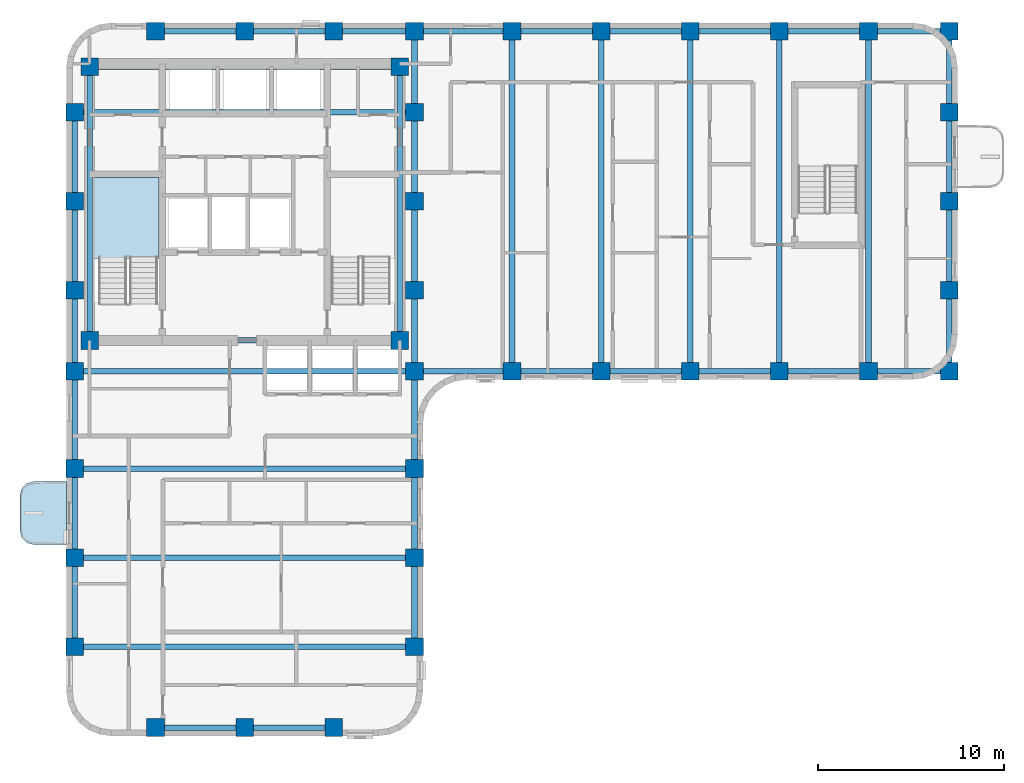
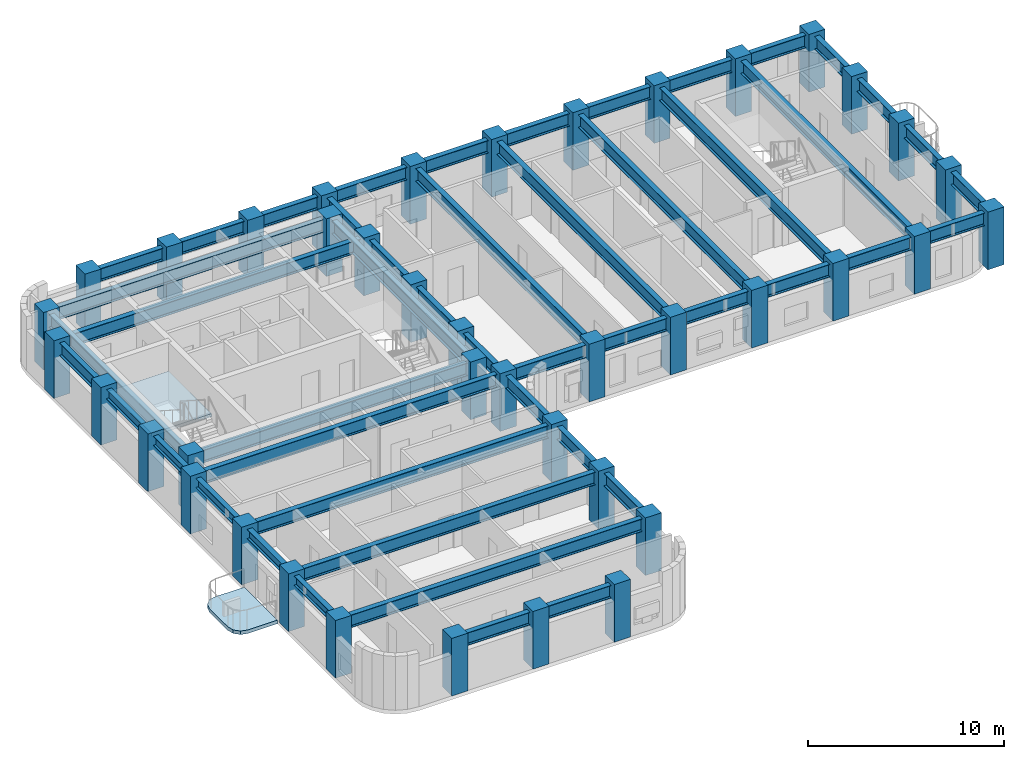
# One storey, part 1 of 10: 48 beams, 40 columns, 2 slabs, 1 element without a shape of its own.
"""IFC4 building model written with IfcOpenShell, lengths in metres."""

from ifc_helpers import new_model, si_unit, direction, frame, origin, origin_2d, place, context, subcontext, project, spatial, polyline, rectangle, i_section, outline, extrude, material, layer, layer_set, material_profile, profile_set, type_object, element, aggregate, save


model = new_model("IFC4")

# Units and contexts
model_context = context("Model", 3, precision=1e-05, world=origin(), true_north=direction((0.0, 1.0)))
body_context = subcontext(model_context, "Body", "Model", "MODEL_VIEW")
ifc_project = project(units=[si_unit("LENGTHUNIT", "METRE"), si_unit("AREAUNIT", "SQUARE_METRE"), si_unit("VOLUMEUNIT", "CUBIC_METRE"), si_unit("PLANEANGLEUNIT", "RADIAN"), si_unit("MASSUNIT", "GRAM", prefix="KILO")], contexts=[model_context])

# Site, building, storey
site_placement = place(None, origin())
site = spatial("IfcSite", under=ifc_project, at=site_placement, CompositionType="ELEMENT")
building_placement = place(site_placement, origin())
building = spatial("IfcBuilding", under=site, at=building_placement, Name="Orvandelia Arch Residences", CompositionType="ELEMENT")
storey_placement = place(building_placement, frame((0.0, 0.0, 143.199951171875)))
storey = spatial("IfcBuildingStorey", under=building, at=storey_placement, Name="L37", CompositionType="ELEMENT", Elevation=143.199951171875)

# Columns
ifc_material_1 = material(Name="Concrete C60/75", Category="concrete")
ifc_material_profile_1 = material_profile(ifc_material_1, rectangle(XDim=0.949951171875, YDim=0.949951171875, at=origin_2d()), Name="Concrete C60/75", Category="concrete")
ifc_profile_set_1 = profile_set([ifc_material_profile_1], Name="Concrete C60/75")
column_type = type_object("IfcColumnType", Name="COL-TWR-950", PredefinedType="COLUMN", material=ifc_profile_set_1)
for number, where, z_axis, x_axis, name in (
    (1, (5.25, 14.39990234375, 0.0), (0.0, 0.0, 1.0), (1.0, 0.0, 0.0), "Structural Column L37-W-W-144"),
    (2, (5.25, 19.199951171875, 0.0), (0.0, 0.0, 1.0), (1.0, 0.0, 0.0), "Structural Column L37-W-W-192"),
    (3, (5.25, 24.0, 0.0), (0.0, 0.0, 1.0), (1.0, 0.0, 0.0), "Structural Column L37-W-W-240"),
    (4, (5.25, 29.25, 0.0), (0.0, 0.0, 1.0), (1.0, 0.0, 0.0), "Structural Column L37-W-W-292"),
    (5, (5.25, 33.60009765625, 0.0), (0.0, 0.0, 1.0), (1.0, 0.0, 0.0), "Structural Column L37-W-W-336"),
    (6, (5.25, 38.39990234375, 0.0), (0.0, 0.0, 1.0), (1.0, 0.0, 0.0), "Structural Column L37-W-W-384"),
    (7, (5.25, 43.199951171875, 0.0), (0.0, 0.0, 1.0), (1.0, 0.0, 0.0), "Structural Column L37-W-W-432"),
    (8, (6.050048828125, 30.89990234375, 0.0), (0.0, 0.0, 1.0), (1.0, 0.0, 0.0), "Structural Column L37-CR-SW"),
    (9, (6.050048828125, 45.64990234375, 0.0), (0.0, 0.0, 1.0), (1.0, 0.0, 0.0), "Structural Column L37-CR-NW"),
    (10, (9.60009765625, 10.050048828125, 0.0), (0.0, 0.0, 1.0), (1.0, 0.0, 0.0), "Structural Column L37-W-S-96"),
    (11, (9.60009765625, 47.550048828125, 0.0), (0.0, 0.0, 1.0), (1.0, 0.0, 0.0), "Structural Column L37-W-N-96"),
    (12, (14.39990234375, 10.050048828125, 0.0), (0.0, 0.0, 1.0), (1.0, 0.0, 0.0), "Structural Column L37-W-S-144"),
    (13, (14.39990234375, 47.550048828125, 0.0), (0.0, 0.0, 1.0), (1.0, 0.0, 0.0), "Structural Column L37-W-N-144"),
    (14, (19.199951171875, 10.050048828125, 0.0), (0.0, 0.0, 1.0), (1.0, 0.0, 0.0), "Structural Column L37-W-S-192"),
    (15, (19.199951171875, 47.550048828125, 0.0), (0.0, 0.0, 1.0), (1.0, 0.0, 0.0), "Structural Column L37-W-N-192"),
    (16, (22.75, 30.89990234375, 0.0), (0.0, 0.0, 1.0), (1.0, 0.0, 0.0), "Structural Column L37-CR-SE"),
    (17, (22.75, 45.64990234375, 0.0), (0.0, 0.0, 1.0), (1.0, 0.0, 0.0), "Structural Column L37-CR-NE"),
    (18, (23.550048828125, 14.39990234375, 0.0), (0.0, 0.0, 1.0), (1.0, 0.0, 0.0), "Structural Column L37-W-E-144"),
    (19, (23.550048828125, 19.199951171875, 0.0), (0.0, 0.0, 1.0), (1.0, 0.0, 0.0), "Structural Column L37-W-E-192"),
    (20, (23.550048828125, 24.0, 0.0), (0.0, 0.0, 1.0), (1.0, 0.0, 0.0), "Structural Column L37-W-E-240"),
    (21, (23.550048828125, 29.25, 0.0), (0.0, 0.0, 1.0), (1.0, 0.0, 0.0), "Structural Column L37-W-E-292"),
    (22, (23.550048828125, 33.60009765625, 0.0), (0.0, 0.0, 1.0), (1.0, 0.0, 0.0), "Structural Column L37-W-E-336"),
    (23, (23.550048828125, 38.39990234375, 0.0), (0.0, 0.0, 1.0), (1.0, 0.0, 0.0), "Structural Column L37-W-E-384"),
    (24, (23.550048828125, 43.199951171875, 0.0), (0.0, 0.0, 1.0), (1.0, 0.0, 0.0), "Structural Column L37-W-E-432"),
    (25, (23.550048828125, 47.550048828125, 0.0), (0.0, 0.0, 1.0), (1.0, 0.0, 0.0), "Structural Column L37-W-N-235"),
    (26, (28.800048828125, 29.25, 0.0), (0.0, 0.0, 1.0), (1.0, 0.0, 0.0), "Structural Column L37-E-S-288"),
    (27, (28.800048828125, 47.550048828125, 0.0), (0.0, 0.0, 1.0), (1.0, 0.0, 0.0), "Structural Column L37-E-N-288"),
    (28, (33.60009765625, 29.25, 0.0), (0.0, 0.0, 1.0), (1.0, 0.0, 0.0), "Structural Column L37-E-S-336"),
    (29, (33.60009765625, 47.550048828125, 0.0), (0.0, 0.0, 1.0), (1.0, 0.0, 0.0), "Structural Column L37-E-N-336"),
    (30, (38.39990234375, 29.25, 0.0), (0.0, 0.0, 1.0), (1.0, 0.0, 0.0), "Structural Column L37-E-S-384"),
    (31, (38.39990234375, 47.550048828125, 0.0), (0.0, 0.0, 1.0), (1.0, 0.0, 0.0), "Structural Column L37-E-N-384"),
    (32, (43.199951171875, 29.25, 0.0), (0.0, 0.0, 1.0), (1.0, 0.0, 0.0), "Structural Column L37-E-S-432"),
    (33, (43.199951171875, 47.550048828125, 0.0), (0.0, 0.0, 1.0), (1.0, 0.0, 0.0), "Structural Column L37-E-N-432"),
    (34, (48.0, 29.25, 0.0), (0.0, 0.0, 1.0), (1.0, 0.0, 0.0), "Structural Column L37-E-S-480"),
    (35, (48.0, 47.550048828125, 0.0), (0.0, 0.0, 1.0), (1.0, 0.0, 0.0), "Structural Column L37-E-N-480"),
    (36, (52.35009765625, 29.25, 0.0), (0.0, 0.0, 1.0), (1.0, 0.0, 0.0), "Structural Column L37-E-S-523"),
    (37, (52.35009765625, 33.60009765625, 0.0), (0.0, 0.0, 1.0), (1.0, 0.0, 0.0), "Structural Column L37-E-523-336"),
    (38, (52.35009765625, 38.39990234375, 0.0), (0.0, 0.0, 1.0), (1.0, 0.0, 0.0), "Structural Column L37-E-523-384"),
    (39, (52.35009765625, 43.199951171875, 0.0), (0.0, 0.0, 1.0), (1.0, 0.0, 0.0), "Structural Column L37-E-523-432"),
    (40, (52.35009765625, 47.550048828125, 0.0), (0.0, 0.0, 1.0), (1.0, 0.0, 0.0), "Structural Column L37-E-N-523"),
):
    element("IfcColumn", number, at=place(storey_placement, frame(where, z_axis=z_axis, x_axis=x_axis)), inside=storey, type_object=column_type, Name=name, PredefinedType="COLUMN", context=body_context, shape_type="SweptSolid", body=[
        extrude(rectangle(XDim=0.949951171875, YDim=0.949951171875, at=origin_2d()), origin(), (0.0, 0.0, 1.0), 3.60009765625),
    ])

# Beams
ifc_material_2 = material(Name="Structural Steel SM355 (355 MPa)", Category="steel")
ifc_material_profile_2 = material_profile(ifc_material_2, i_section(OverallWidth=0.300048828125, OverallDepth=0.800048828125, WebThickness=0.013916015625, FlangeThickness=0.02587890625, FilletRadius=0.02587890625, at=origin_2d()), Name="Structural Steel SM355 (355 MPa)", Category="steel")
ifc_profile_set_2 = profile_set([ifc_material_profile_2], Name="Structural Steel SM355 (355 MPa)")
beam_type_1 = type_object("IfcBeamType", Name="BM-GRD-H800", PredefinedType="BEAM", material=ifc_profile_set_2)
beam_1_placement = place(storey_placement, frame((5.25, 38.39990234375, 2.9599609375), z_axis=(0.0, 1.0, 0.0), x_axis=(-1.0, 0.0, 0.0)))
element("IfcBeam", 41, at=beam_1_placement, inside=storey, type_object=beam_type_1, Name="Structural Frame Beam L37-NS-006", PredefinedType="BEAM", context=body_context, shape_type="SweptSolid", body=[
    extrude(i_section(OverallWidth=0.300048828125, OverallDepth=0.800048828125, WebThickness=0.013916015625, FlangeThickness=0.02587890625, FilletRadius=0.02587890625, at=origin_2d()), origin(), (0.0, 0.0, 1.0), 4.800048828125),
])
for number, where, z_axis, x_axis, name in (
    (42, (6.050048828125, 30.89990234375, 2.9599609375), (0.0, 1.0, 0.0), (-1.0, 0.0, 0.0), "Structural Frame Beam L37-NS-007"),
    (43, (22.75, 30.89990234375, 2.9599609375), (0.0, 1.0, 0.0), (-1.0, 0.0, 0.0), "Structural Frame Beam L37-NS-008"),
):
    element("IfcBeam", number, at=place(storey_placement, frame(where, z_axis=z_axis, x_axis=x_axis)), inside=storey, type_object=beam_type_1, Name=name, PredefinedType="BEAM", context=body_context, shape_type="SweptSolid", body=[
        extrude(i_section(OverallWidth=0.300048828125, OverallDepth=0.800048828125, WebThickness=0.013916015625, FlangeThickness=0.02587890625, FilletRadius=0.02587890625, at=origin_2d()), origin(), (0.0, 0.0, 1.0), 14.75),
    ])
for number, where, z_axis, x_axis, name in (
    (44, (23.550048828125, 14.39990234375, 2.9599609375), (0.0, 1.0, 0.0), (-1.0, 0.0, 0.0), "Structural Frame Beam L37-NS-009"),
    (45, (23.550048828125, 19.199951171875, 2.9599609375), (0.0, 1.0, 0.0), (-1.0, 0.0, 0.0), "Structural Frame Beam L37-NS-010"),
):
    element("IfcBeam", number, at=place(storey_placement, frame(where, z_axis=z_axis, x_axis=x_axis)), inside=storey, type_object=beam_type_1, Name=name, PredefinedType="BEAM", context=body_context, shape_type="SweptSolid", body=[
        extrude(i_section(OverallWidth=0.300048828125, OverallDepth=0.800048828125, WebThickness=0.013916015625, FlangeThickness=0.02587890625, FilletRadius=0.02587890625, at=origin_2d()), origin(), (0.0, 0.0, 1.0), 4.800048828125),
    ])
beam_2_placement = place(storey_placement, frame((23.550048828125, 24.0, 2.9599609375), z_axis=(0.0, 1.0, 0.0), x_axis=(-1.0, 0.0, 0.0)))
element("IfcBeam", 46, at=beam_2_placement, inside=storey, type_object=beam_type_1, Name="Structural Frame Beam L37-NS-011", PredefinedType="BEAM", context=body_context, shape_type="SweptSolid", body=[
    extrude(i_section(OverallWidth=0.300048828125, OverallDepth=0.800048828125, WebThickness=0.013916015625, FlangeThickness=0.02587890625, FilletRadius=0.02587890625, at=origin_2d()), origin(), (0.0, 0.0, 1.0), 5.25),
])
beam_3_placement = place(storey_placement, frame((23.550048828125, 29.25, 2.9599609375), z_axis=(0.0, 1.0, 0.0), x_axis=(-1.0, 0.0, 0.0)))
element("IfcBeam", 47, at=beam_3_placement, inside=storey, type_object=beam_type_1, Name="Structural Frame Beam L37-NS-012", PredefinedType="BEAM", context=body_context, shape_type="SweptSolid", body=[
    extrude(i_section(OverallWidth=0.300048828125, OverallDepth=0.800048828125, WebThickness=0.013916015625, FlangeThickness=0.02587890625, FilletRadius=0.02587890625, at=origin_2d()), origin(), (0.0, 0.0, 1.0), 4.35009765625),
])
beam_4_placement = place(storey_placement, frame((23.550048828125, 33.60009765625, 2.9599609375), z_axis=(0.0, 1.0, 0.0), x_axis=(-1.0, 0.0, 0.0)))
element("IfcBeam", 48, at=beam_4_placement, inside=storey, type_object=beam_type_1, Name="Structural Frame Beam L37-NS-013", PredefinedType="BEAM", context=body_context, shape_type="SweptSolid", body=[
    extrude(i_section(OverallWidth=0.300048828125, OverallDepth=0.800048828125, WebThickness=0.013916015625, FlangeThickness=0.02587890625, FilletRadius=0.02587890625, at=origin_2d()), origin(), (0.0, 0.0, 1.0), 4.7998046875),
])
beam_5_placement = place(storey_placement, frame((23.550048828125, 38.39990234375, 2.9599609375), z_axis=(0.0, 1.0, 0.0), x_axis=(-1.0, 0.0, 0.0)))
element("IfcBeam", 49, at=beam_5_placement, inside=storey, type_object=beam_type_1, Name="Structural Frame Beam L37-NS-014", PredefinedType="BEAM", context=body_context, shape_type="SweptSolid", body=[
    extrude(i_section(OverallWidth=0.300048828125, OverallDepth=0.800048828125, WebThickness=0.013916015625, FlangeThickness=0.02587890625, FilletRadius=0.02587890625, at=origin_2d()), origin(), (0.0, 0.0, 1.0), 4.800048828125),
])
beam_6_placement = place(storey_placement, frame((23.550048828125, 43.199951171875, 2.9599609375), z_axis=(0.0, 1.0, 0.0), x_axis=(-1.0, 0.0, 0.0)))
element("IfcBeam", 50, at=beam_6_placement, inside=storey, type_object=beam_type_1, Name="Structural Frame Beam L37-NS-015", PredefinedType="BEAM", context=body_context, shape_type="SweptSolid", body=[
    extrude(i_section(OverallWidth=0.300048828125, OverallDepth=0.800048828125, WebThickness=0.013916015625, FlangeThickness=0.02587890625, FilletRadius=0.02587890625, at=origin_2d()), origin(), (0.0, 0.0, 1.0), 4.35009765625),
])
for number, where, z_axis, x_axis, name in (
    (51, (28.800048828125, 29.25, 2.9599609375), (0.0, 1.0, 0.0), (-1.0, 0.0, 0.0), "Structural Frame Beam L37-NS-016"),
    (52, (33.60009765625, 29.25, 2.9599609375), (0.0, 1.0, 0.0), (-1.0, 0.0, 0.0), "Structural Frame Beam L37-NS-017"),
    (53, (38.39990234375, 29.25, 2.9599609375), (0.0, 1.0, 0.0), (-1.0, 0.0, 0.0), "Structural Frame Beam L37-NS-018"),
    (54, (43.199951171875, 29.25, 2.9599609375), (0.0, 1.0, 0.0), (-1.0, 0.0, 0.0), "Structural Frame Beam L37-NS-019"),
    (55, (48.0, 29.25, 2.9599609375), (0.0, 1.0, 0.0), (-1.0, 0.0, 0.0), "Structural Frame Beam L37-NS-020"),
):
    element("IfcBeam", number, at=place(storey_placement, frame(where, z_axis=z_axis, x_axis=x_axis)), inside=storey, type_object=beam_type_1, Name=name, PredefinedType="BEAM", context=body_context, shape_type="SweptSolid", body=[
        extrude(i_section(OverallWidth=0.300048828125, OverallDepth=0.800048828125, WebThickness=0.013916015625, FlangeThickness=0.02587890625, FilletRadius=0.02587890625, at=origin_2d()), origin(), (0.0, 0.0, 1.0), 18.300048828125),
    ])
beam_7_placement = place(storey_placement, frame((52.35009765625, 29.25, 2.9599609375), z_axis=(0.0, 1.0, 0.0), x_axis=(-1.0, 0.0, 0.0)))
element("IfcBeam", 56, at=beam_7_placement, inside=storey, type_object=beam_type_1, Name="Structural Frame Beam L37-NS-021", PredefinedType="BEAM", context=body_context, shape_type="SweptSolid", body=[
    extrude(i_section(OverallWidth=0.300048828125, OverallDepth=0.800048828125, WebThickness=0.013916015625, FlangeThickness=0.02587890625, FilletRadius=0.02587890625, at=origin_2d()), origin(), (0.0, 0.0, 1.0), 4.35009765625),
])
beam_8_placement = place(storey_placement, frame((52.35009765625, 33.60009765625, 2.9599609375), z_axis=(0.0, 1.0, 0.0), x_axis=(-1.0, 0.0, 0.0)))
element("IfcBeam", 57, at=beam_8_placement, inside=storey, type_object=beam_type_1, Name="Structural Frame Beam L37-NS-022", PredefinedType="BEAM", context=body_context, shape_type="SweptSolid", body=[
    extrude(i_section(OverallWidth=0.300048828125, OverallDepth=0.800048828125, WebThickness=0.013916015625, FlangeThickness=0.02587890625, FilletRadius=0.02587890625, at=origin_2d()), origin(), (0.0, 0.0, 1.0), 4.7998046875),
])
beam_9_placement = place(storey_placement, frame((52.35009765625, 38.39990234375, 2.9599609375), z_axis=(0.0, 1.0, 0.0), x_axis=(-1.0, 0.0, 0.0)))
element("IfcBeam", 58, at=beam_9_placement, inside=storey, type_object=beam_type_1, Name="Structural Frame Beam L37-NS-023", PredefinedType="BEAM", context=body_context, shape_type="SweptSolid", body=[
    extrude(i_section(OverallWidth=0.300048828125, OverallDepth=0.800048828125, WebThickness=0.013916015625, FlangeThickness=0.02587890625, FilletRadius=0.02587890625, at=origin_2d()), origin(), (0.0, 0.0, 1.0), 4.800048828125),
])
beam_10_placement = place(storey_placement, frame((52.35009765625, 43.199951171875, 2.9599609375), z_axis=(0.0, 1.0, 0.0), x_axis=(-1.0, 0.0, 0.0)))
element("IfcBeam", 59, at=beam_10_placement, inside=storey, type_object=beam_type_1, Name="Structural Frame Beam L37-NS-024", PredefinedType="BEAM", context=body_context, shape_type="SweptSolid", body=[
    extrude(i_section(OverallWidth=0.300048828125, OverallDepth=0.800048828125, WebThickness=0.013916015625, FlangeThickness=0.02587890625, FilletRadius=0.02587890625, at=origin_2d()), origin(), (0.0, 0.0, 1.0), 4.35009765625),
])
beam_11_placement = place(storey_placement, frame((9.60009765625, 10.050048828125, 2.9599609375), z_axis=(1.0, 0.0, 0.0), x_axis=(0.0, 1.0, 0.0)))
element("IfcBeam", 60, at=beam_11_placement, inside=storey, type_object=beam_type_1, Name="Structural Frame Girder L37-EW-025", PredefinedType="BEAM", context=body_context, shape_type="SweptSolid", body=[
    extrude(i_section(OverallWidth=0.300048828125, OverallDepth=0.800048828125, WebThickness=0.013916015625, FlangeThickness=0.02587890625, FilletRadius=0.02587890625, at=origin_2d()), origin(), (0.0, 0.0, 1.0), 4.7998046875),
])
beam_12_placement = place(storey_placement, frame((14.39990234375, 10.050048828125, 2.9599609375), z_axis=(1.0, 0.0, 0.0), x_axis=(0.0, 1.0, 0.0)))
element("IfcBeam", 61, at=beam_12_placement, inside=storey, type_object=beam_type_1, Name="Structural Frame Girder L37-EW-026", PredefinedType="BEAM", context=body_context, shape_type="SweptSolid", body=[
    extrude(i_section(OverallWidth=0.300048828125, OverallDepth=0.800048828125, WebThickness=0.013916015625, FlangeThickness=0.02587890625, FilletRadius=0.02587890625, at=origin_2d()), origin(), (0.0, 0.0, 1.0), 4.800048828125),
])
for number, where, z_axis, x_axis, name in (
    (62, (5.25, 14.39990234375, 2.9599609375), (1.0, 0.0, 0.0), (0.0, 1.0, 0.0), "Structural Frame Girder L37-EW-027"),
    (63, (5.25, 19.199951171875, 2.9599609375), (1.0, 0.0, 0.0), (0.0, 1.0, 0.0), "Structural Frame Girder L37-EW-028"),
    (64, (5.25, 24.0, 2.9599609375), (1.0, 0.0, 0.0), (0.0, 1.0, 0.0), "Structural Frame Girder L37-EW-029"),
    (65, (5.25, 29.25, 2.9599609375), (1.0, 0.0, 0.0), (0.0, 1.0, 0.0), "Structural Frame Girder L37-EW-030"),
):
    element("IfcBeam", number, at=place(storey_placement, frame(where, z_axis=z_axis, x_axis=x_axis)), inside=storey, type_object=beam_type_1, Name=name, PredefinedType="BEAM", context=body_context, shape_type="SweptSolid", body=[
        extrude(i_section(OverallWidth=0.300048828125, OverallDepth=0.800048828125, WebThickness=0.013916015625, FlangeThickness=0.02587890625, FilletRadius=0.02587890625, at=origin_2d()), origin(), (0.0, 0.0, 1.0), 18.300048828125),
    ])
beam_13_placement = place(storey_placement, frame((23.550048828125, 29.25, 2.9599609375), z_axis=(1.0, 0.0, 0.0), x_axis=(0.0, 1.0, 0.0)))
element("IfcBeam", 66, at=beam_13_placement, inside=storey, type_object=beam_type_1, Name="Structural Frame Girder L37-EW-031", PredefinedType="BEAM", context=body_context, shape_type="SweptSolid", body=[
    extrude(i_section(OverallWidth=0.300048828125, OverallDepth=0.800048828125, WebThickness=0.013916015625, FlangeThickness=0.02587890625, FilletRadius=0.02587890625, at=origin_2d()), origin(), (0.0, 0.0, 1.0), 5.25),
])
beam_14_placement = place(storey_placement, frame((28.800048828125, 29.25, 2.9599609375), z_axis=(1.0, 0.0, 0.0), x_axis=(0.0, 1.0, 0.0)))
element("IfcBeam", 67, at=beam_14_placement, inside=storey, type_object=beam_type_1, Name="Structural Frame Girder L37-EW-032", PredefinedType="BEAM", context=body_context, shape_type="SweptSolid", body=[
    extrude(i_section(OverallWidth=0.300048828125, OverallDepth=0.800048828125, WebThickness=0.013916015625, FlangeThickness=0.02587890625, FilletRadius=0.02587890625, at=origin_2d()), origin(), (0.0, 0.0, 1.0), 4.800048828125),
])
beam_15_placement = place(storey_placement, frame((33.60009765625, 29.25, 2.9599609375), z_axis=(1.0, 0.0, 0.0), x_axis=(0.0, 1.0, 0.0)))
element("IfcBeam", 68, at=beam_15_placement, inside=storey, type_object=beam_type_1, Name="Structural Frame Girder L37-EW-033", PredefinedType="BEAM", context=body_context, shape_type="SweptSolid", body=[
    extrude(i_section(OverallWidth=0.300048828125, OverallDepth=0.800048828125, WebThickness=0.013916015625, FlangeThickness=0.02587890625, FilletRadius=0.02587890625, at=origin_2d()), origin(), (0.0, 0.0, 1.0), 4.7998046875),
])
for number, where, z_axis, x_axis, name in (
    (69, (38.39990234375, 29.25, 2.9599609375), (1.0, 0.0, 0.0), (0.0, 1.0, 0.0), "Structural Frame Girder L37-EW-034"),
    (70, (43.199951171875, 29.25, 2.9599609375), (1.0, 0.0, 0.0), (0.0, 1.0, 0.0), "Structural Frame Girder L37-EW-035"),
):
    element("IfcBeam", number, at=place(storey_placement, frame(where, z_axis=z_axis, x_axis=x_axis)), inside=storey, type_object=beam_type_1, Name=name, PredefinedType="BEAM", context=body_context, shape_type="SweptSolid", body=[
        extrude(i_section(OverallWidth=0.300048828125, OverallDepth=0.800048828125, WebThickness=0.013916015625, FlangeThickness=0.02587890625, FilletRadius=0.02587890625, at=origin_2d()), origin(), (0.0, 0.0, 1.0), 4.800048828125),
    ])
beam_16_placement = place(storey_placement, frame((48.0, 29.25, 2.9599609375), z_axis=(1.0, 0.0, 0.0), x_axis=(0.0, 1.0, 0.0)))
element("IfcBeam", 71, at=beam_16_placement, inside=storey, type_object=beam_type_1, Name="Structural Frame Girder L37-EW-036", PredefinedType="BEAM", context=body_context, shape_type="SweptSolid", body=[
    extrude(i_section(OverallWidth=0.300048828125, OverallDepth=0.800048828125, WebThickness=0.013916015625, FlangeThickness=0.02587890625, FilletRadius=0.02587890625, at=origin_2d()), origin(), (0.0, 0.0, 1.0), 4.35009765625),
])
beam_17_placement = place(storey_placement, frame((6.050048828125, 30.89990234375, 2.9599609375), z_axis=(1.0, 0.0, 0.0), x_axis=(0.0, 1.0, 0.0)))
element("IfcBeam", 72, at=beam_17_placement, inside=storey, type_object=beam_type_1, Name="Structural Frame Girder L37-EW-037", PredefinedType="BEAM", context=body_context, shape_type="SweptSolid", body=[
    extrude(i_section(OverallWidth=0.300048828125, OverallDepth=0.800048828125, WebThickness=0.013916015625, FlangeThickness=0.02587890625, FilletRadius=0.02587890625, at=origin_2d()), origin(), (0.0, 0.0, 1.0), 16.699951171875),
])
beam_18_placement = place(storey_placement, frame((5.25, 43.199951171875, 2.9599609375), z_axis=(1.0, 0.0, 0.0), x_axis=(0.0, 1.0, 0.0)))
element("IfcBeam", 73, at=beam_18_placement, inside=storey, type_object=beam_type_1, Name="Structural Frame Girder L37-EW-040", PredefinedType="BEAM", context=body_context, shape_type="SweptSolid", body=[
    extrude(i_section(OverallWidth=0.300048828125, OverallDepth=0.800048828125, WebThickness=0.013916015625, FlangeThickness=0.02587890625, FilletRadius=0.02587890625, at=origin_2d()), origin(), (0.0, 0.0, 1.0), 18.300048828125),
])
beam_19_placement = place(storey_placement, frame((6.050048828125, 45.64990234375, 2.9599609375), z_axis=(1.0, 0.0, 0.0), x_axis=(0.0, 1.0, 0.0)))
element("IfcBeam", 74, at=beam_19_placement, inside=storey, type_object=beam_type_1, Name="Structural Frame Girder L37-EW-041", PredefinedType="BEAM", context=body_context, shape_type="SweptSolid", body=[
    extrude(i_section(OverallWidth=0.300048828125, OverallDepth=0.800048828125, WebThickness=0.013916015625, FlangeThickness=0.02587890625, FilletRadius=0.02587890625, at=origin_2d()), origin(), (0.0, 0.0, 1.0), 16.699951171875),
])
beam_20_placement = place(storey_placement, frame((9.60009765625, 47.550048828125, 2.9599609375), z_axis=(1.0, 0.0, 0.0), x_axis=(0.0, 1.0, 0.0)))
element("IfcBeam", 75, at=beam_20_placement, inside=storey, type_object=beam_type_1, Name="Structural Frame Girder L37-EW-042", PredefinedType="BEAM", context=body_context, shape_type="SweptSolid", body=[
    extrude(i_section(OverallWidth=0.300048828125, OverallDepth=0.800048828125, WebThickness=0.013916015625, FlangeThickness=0.02587890625, FilletRadius=0.02587890625, at=origin_2d()), origin(), (0.0, 0.0, 1.0), 4.7998046875),
])
beam_21_placement = place(storey_placement, frame((14.39990234375, 47.550048828125, 2.9599609375), z_axis=(1.0, 0.0, 0.0), x_axis=(0.0, 1.0, 0.0)))
element("IfcBeam", 76, at=beam_21_placement, inside=storey, type_object=beam_type_1, Name="Structural Frame Girder L37-EW-043", PredefinedType="BEAM", context=body_context, shape_type="SweptSolid", body=[
    extrude(i_section(OverallWidth=0.300048828125, OverallDepth=0.800048828125, WebThickness=0.013916015625, FlangeThickness=0.02587890625, FilletRadius=0.02587890625, at=origin_2d()), origin(), (0.0, 0.0, 1.0), 4.800048828125),
])
beam_22_placement = place(storey_placement, frame((19.199951171875, 47.550048828125, 2.9599609375), z_axis=(1.0, 0.0, 0.0), x_axis=(0.0, 1.0, 0.0)))
element("IfcBeam", 77, at=beam_22_placement, inside=storey, type_object=beam_type_1, Name="Structural Frame Girder L37-EW-044", PredefinedType="BEAM", context=body_context, shape_type="SweptSolid", body=[
    extrude(i_section(OverallWidth=0.300048828125, OverallDepth=0.800048828125, WebThickness=0.013916015625, FlangeThickness=0.02587890625, FilletRadius=0.02587890625, at=origin_2d()), origin(), (0.0, 0.0, 1.0), 4.35009765625),
])
beam_23_placement = place(storey_placement, frame((23.550048828125, 47.550048828125, 2.9599609375), z_axis=(1.0, 0.0, 0.0), x_axis=(0.0, 1.0, 0.0)))
element("IfcBeam", 78, at=beam_23_placement, inside=storey, type_object=beam_type_1, Name="Structural Frame Girder L37-EW-045", PredefinedType="BEAM", context=body_context, shape_type="SweptSolid", body=[
    extrude(i_section(OverallWidth=0.300048828125, OverallDepth=0.800048828125, WebThickness=0.013916015625, FlangeThickness=0.02587890625, FilletRadius=0.02587890625, at=origin_2d()), origin(), (0.0, 0.0, 1.0), 5.25),
])
beam_24_placement = place(storey_placement, frame((28.800048828125, 47.550048828125, 2.9599609375), z_axis=(1.0, 0.0, 0.0), x_axis=(0.0, 1.0, 0.0)))
element("IfcBeam", 79, at=beam_24_placement, inside=storey, type_object=beam_type_1, Name="Structural Frame Girder L37-EW-046", PredefinedType="BEAM", context=body_context, shape_type="SweptSolid", body=[
    extrude(i_section(OverallWidth=0.300048828125, OverallDepth=0.800048828125, WebThickness=0.013916015625, FlangeThickness=0.02587890625, FilletRadius=0.02587890625, at=origin_2d()), origin(), (0.0, 0.0, 1.0), 4.800048828125),
])
beam_25_placement = place(storey_placement, frame((33.60009765625, 47.550048828125, 2.9599609375), z_axis=(1.0, 0.0, 0.0), x_axis=(0.0, 1.0, 0.0)))
element("IfcBeam", 80, at=beam_25_placement, inside=storey, type_object=beam_type_1, Name="Structural Frame Girder L37-EW-047", PredefinedType="BEAM", context=body_context, shape_type="SweptSolid", body=[
    extrude(i_section(OverallWidth=0.300048828125, OverallDepth=0.800048828125, WebThickness=0.013916015625, FlangeThickness=0.02587890625, FilletRadius=0.02587890625, at=origin_2d()), origin(), (0.0, 0.0, 1.0), 4.7998046875),
])
for number, where, z_axis, x_axis, name in (
    (81, (38.39990234375, 47.550048828125, 2.9599609375), (1.0, 0.0, 0.0), (0.0, 1.0, 0.0), "Structural Frame Girder L37-EW-048"),
    (82, (43.199951171875, 47.550048828125, 2.9599609375), (1.0, 0.0, 0.0), (0.0, 1.0, 0.0), "Structural Frame Girder L37-EW-049"),
):
    element("IfcBeam", number, at=place(storey_placement, frame(where, z_axis=z_axis, x_axis=x_axis)), inside=storey, type_object=beam_type_1, Name=name, PredefinedType="BEAM", context=body_context, shape_type="SweptSolid", body=[
        extrude(i_section(OverallWidth=0.300048828125, OverallDepth=0.800048828125, WebThickness=0.013916015625, FlangeThickness=0.02587890625, FilletRadius=0.02587890625, at=origin_2d()), origin(), (0.0, 0.0, 1.0), 4.800048828125),
    ])
beam_26_placement = place(storey_placement, frame((48.0, 47.550048828125, 2.9599609375), z_axis=(1.0, 0.0, 0.0), x_axis=(0.0, 1.0, 0.0)))
element("IfcBeam", 83, at=beam_26_placement, inside=storey, type_object=beam_type_1, Name="Structural Frame Girder L37-EW-050", PredefinedType="BEAM", context=body_context, shape_type="SweptSolid", body=[
    extrude(i_section(OverallWidth=0.300048828125, OverallDepth=0.800048828125, WebThickness=0.013916015625, FlangeThickness=0.02587890625, FilletRadius=0.02587890625, at=origin_2d()), origin(), (0.0, 0.0, 1.0), 4.35009765625),
])
ifc_material_profile_3 = material_profile(ifc_material_2, i_section(OverallWidth=0.300048828125, OverallDepth=0.587890625, WebThickness=0.011962890625, FlangeThickness=0.02001953125, FilletRadius=0.02197265625, at=origin_2d()), Name="Structural Steel SM355 (355 MPa)", Category="steel")
ifc_profile_set_3 = profile_set([ifc_material_profile_3], Name="Structural Steel SM355 (355 MPa)")
beam_type_2 = type_object("IfcBeamType", Name="BM-SPN-H588", PredefinedType="SPANDREL", material=ifc_profile_set_3)
for number, where, z_axis, x_axis, name in (
    (84, (5.25, 14.39990234375, 3.066162109375), (0.0, 1.0, 0.0), (-1.0, 0.0, 0.0), "Structural Frame Beam L37-NS-001"),
    (85, (5.25, 19.199951171875, 3.066162109375), (0.0, 1.0, 0.0), (-1.0, 0.0, 0.0), "Structural Frame Beam L37-NS-002"),
):
    element("IfcBeam", number, at=place(storey_placement, frame(where, z_axis=z_axis, x_axis=x_axis)), inside=storey, type_object=beam_type_2, Name=name, PredefinedType="SPANDREL", context=body_context, shape_type="SweptSolid", body=[
        extrude(i_section(OverallWidth=0.300048828125, OverallDepth=0.587890625, WebThickness=0.011962890625, FlangeThickness=0.02001953125, FilletRadius=0.02197265625, at=origin_2d()), origin(), (0.0, 0.0, 1.0), 4.800048828125),
    ])
beam_27_placement = place(storey_placement, frame((5.25, 24.0, 3.066162109375), z_axis=(0.0, 1.0, 0.0), x_axis=(-1.0, 0.0, 0.0)))
element("IfcBeam", 86, at=beam_27_placement, inside=storey, type_object=beam_type_2, Name="Structural Frame Beam L37-NS-003", PredefinedType="SPANDREL", context=body_context, shape_type="SweptSolid", body=[
    extrude(i_section(OverallWidth=0.300048828125, OverallDepth=0.587890625, WebThickness=0.011962890625, FlangeThickness=0.02001953125, FilletRadius=0.02197265625, at=origin_2d()), origin(), (0.0, 0.0, 1.0), 5.25),
])
beam_28_placement = place(storey_placement, frame((5.25, 29.25, 3.066162109375), z_axis=(0.0, 1.0, 0.0), x_axis=(-1.0, 0.0, 0.0)))
element("IfcBeam", 87, at=beam_28_placement, inside=storey, type_object=beam_type_2, Name="Structural Frame Beam L37-NS-004", PredefinedType="SPANDREL", context=body_context, shape_type="SweptSolid", body=[
    extrude(i_section(OverallWidth=0.300048828125, OverallDepth=0.587890625, WebThickness=0.011962890625, FlangeThickness=0.02001953125, FilletRadius=0.02197265625, at=origin_2d()), origin(), (0.0, 0.0, 1.0), 4.35009765625),
])
beam_29_placement = place(storey_placement, frame((5.25, 33.60009765625, 3.066162109375), z_axis=(0.0, 1.0, 0.0), x_axis=(-1.0, 0.0, 0.0)))
element("IfcBeam", 88, at=beam_29_placement, inside=storey, type_object=beam_type_2, Name="Structural Frame Beam L37-NS-005", PredefinedType="SPANDREL", context=body_context, shape_type="SweptSolid", body=[
    extrude(i_section(OverallWidth=0.300048828125, OverallDepth=0.587890625, WebThickness=0.011962890625, FlangeThickness=0.02001953125, FilletRadius=0.02197265625, at=origin_2d()), origin(), (0.0, 0.0, 1.0), 4.7998046875),
])

# Slab
ifc_material_3 = material(Name="Precast concrete C40/50", Category="concrete")
ifc_layer_1 = layer(ifc_material_3, 0.219970703125, Name="Precast concrete C40/50", Category="concrete")
ifc_layer_set_1 = layer_set([ifc_layer_1], Name="Precast concrete C40/50")
slab_type_1 = type_object("IfcSlabType", Name="SLB-BAL-220", PredefinedType="USERDEFINED", material=ifc_layer_set_1)
slab_1_placement = place(storey_placement, frame((0.0, 0.0, -0.219970703125)))
element("IfcSlab", 89, at=slab_1_placement, inside=storey, type_object=slab_type_1, Name="Tree Balcony Cantilever Slab BAL-L37-W1", ObjectType="BALCONY", PredefinedType="USERDEFINED", context=body_context, shape_type="SweptSolid", body=[
    extrude(outline(polyline([(4.800048828125, 19.89990234375), (4.800048828125, 23.300048828125), (3.050048828125, 23.300048828125), (2.675048828125, 23.199462890625), (2.400390625, 22.925048828125), (2.300048828125, 22.550048828125), (2.300048828125, 20.64990234375), (2.400390625, 20.27490234375), (2.675048828125, 20.00048828125), (3.050048828125, 19.89990234375), (4.800048828125, 19.89990234375)])), origin(), (0.0, 0.0, 1.0), 0.219970703125),
])

# Stair, slab
ifc_material_4 = material(Name="Concrete C40/50", Category="concrete")
stair_type = type_object("IfcStairType", Name="STAIR-RC-DOGLEG", PredefinedType="HALF_TURN_STAIR", material=ifc_material_4)
stair_placement = place(storey_placement, origin())
stair = element("IfcStair", 90, at=stair_placement, inside=storey, type_object=stair_type, Name="L37 Protected Exit Stair ST-1", PredefinedType="HALF_TURN_STAIR")
ifc_layer_2 = layer(ifc_material_4, 0.219970703125, Name="Concrete C40/50", Category="concrete")
ifc_layer_set_2 = layer_set([ifc_layer_2], Name="Concrete C40/50")
slab_type_2 = type_object("IfcSlabType", Name="SLB-LANDING-220", PredefinedType="LANDING", material=ifc_layer_set_2)
slab_2_placement = place(storey_placement, frame((0.0, 0.0, 1.60009765625)))
slab_2 = element("IfcSlab", 91, at=slab_2_placement, type_object=slab_type_2, Name="ST-1 landing 1", PredefinedType="LANDING", context=body_context, shape_type="SweptSolid", body=[
    extrude(outline(polyline([(9.800048828125, 35.31005859375), (9.800048828125, 39.68994140625), (6.260009765625, 39.68994140625), (6.260009765625, 35.31005859375), (9.800048828125, 35.31005859375)])), origin(), (0.0, 0.0, 1.0), 0.199951171875),
])
aggregate(stair, [slab_2])

save(model, "model.ifc")
